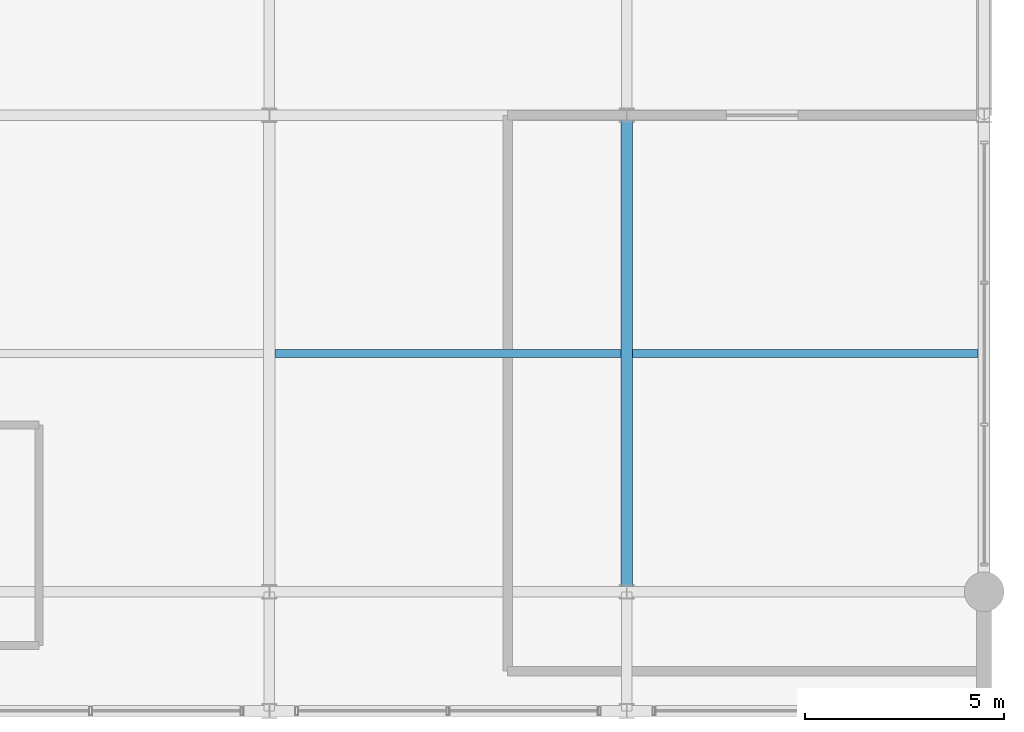
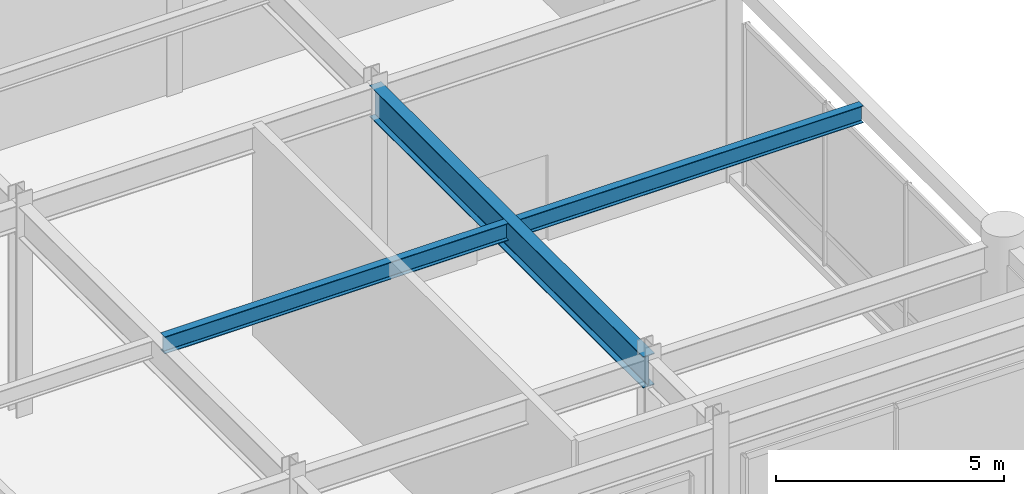
# One storey, part 74 of 108: 3 beams.
"""IFC4 building model written with IfcOpenShell, lengths in metres."""

from ifc_helpers import new_model, si_unit, direction, frame, origin, origin_2d, place, context, subcontext, project, spatial, i_section, extrude, material, material_profile, profile_set, type_object, element, save


model = new_model("IFC4")

# Units and contexts
model_context = context("Model", 3, precision=1e-05, world=origin(), true_north=direction((0.0, 1.0)))
body_context = subcontext(model_context, "Body", "Model", "MODEL_VIEW")
ifc_project = project(units=[si_unit("LENGTHUNIT", "METRE"), si_unit("AREAUNIT", "SQUARE_METRE"), si_unit("VOLUMEUNIT", "CUBIC_METRE"), si_unit("PLANEANGLEUNIT", "RADIAN"), si_unit("MASSUNIT", "GRAM", prefix="KILO")], contexts=[model_context])

# Site, building, storey
site_placement = place(None, origin())
site = spatial("IfcSite", under=ifc_project, at=site_placement, CompositionType="ELEMENT")
building_placement = place(site_placement, origin())
building = spatial("IfcBuilding", under=site, at=building_placement, Name="Kaldorvane Square Convention Centre", CompositionType="ELEMENT")
storey_placement = place(building_placement, frame((0.0, 0.0, 12.0)))
storey = spatial("IfcBuildingStorey", under=building, at=storey_placement, Name="L02", CompositionType="ELEMENT", Elevation=12.0)

# Beams
ifc_material = material(Name="Steel ASTM A992 Gr. 50", Category="steel")
ifc_material_profile_1 = material_profile(ifc_material, i_section(OverallWidth=0.292999267578125, OverallDepth=0.845794677734375, WebThickness=0.0153961181640625, FlangeThickness=0.0243988037109375, FilletRadius=0.0178070068359375, at=origin_2d()), Name="W33X141")
ifc_profile_set_1 = profile_set([ifc_material_profile_1], Name="Steel ASTM A992 Gr. 50")
beam_type_1 = type_object("IfcBeamType", Name="BM-GR-W33X141", PredefinedType="BEAM", material=ifc_profile_set_1)
beam_1_placement = place(storey_placement, frame((165.0, 84.0, 5.2230987548828125), z_axis=(0.0, 1.0, 0.0), x_axis=(-1.0, 0.0, 0.0)))
element("IfcBeam", 1, at=beam_1_placement, inside=storey, type_object=beam_type_1, Name="Transverse Girder (L02)", PredefinedType="BEAM", context=body_context, shape_type="SweptSolid", body=[
    extrude(i_section(OverallWidth=0.292999267578125, OverallDepth=0.845794677734375, WebThickness=0.0153961181640625, FlangeThickness=0.0243988037109375, FilletRadius=0.0178070068359375, at=origin_2d()), origin(), (0.0, 0.0, 1.0), 12.0),
])
ifc_material_profile_2 = material_profile(ifc_material, i_section(OverallWidth=0.1912994384765625, OverallDepth=0.4600067138671875, WebThickness=0.0099029541015625, FlangeThickness=0.0160064697265625, FilletRadius=0.01019287109375, at=origin_2d()), Name="W18X55")
ifc_profile_set_2 = profile_set([ifc_material_profile_2], Name="Steel ASTM A992 Gr. 50")
beam_type_2 = type_object("IfcBeamType", Name="BM-JS-W18X55", PredefinedType="JOIST", material=ifc_profile_set_2)
beam_2_placement = place(storey_placement, frame((156.14649963378906, 90.0, 5.4160003662109375), z_axis=(1.0, 0.0, 0.0), x_axis=(0.0, 1.0, 0.0)))
element("IfcBeam", 2, at=beam_2_placement, inside=storey, type_object=beam_type_2, Name="Secondary Floor Joist (L02)", PredefinedType="JOIST", context=body_context, shape_type="SweptSolid", body=[
    extrude(i_section(OverallWidth=0.1912994384765625, OverallDepth=0.4600067138671875, WebThickness=0.0099029541015625, FlangeThickness=0.0160064697265625, FilletRadius=0.01019287109375, at=origin_2d()), origin(), (0.0, 0.0, 1.0), 8.707000732421875),
])
beam_3_placement = place(storey_placement, frame((165.14649963378906, 90.0, 5.4160003662109375), z_axis=(1.0, 0.0, 0.0), x_axis=(0.0, 1.0, 0.0)))
element("IfcBeam", 3, at=beam_3_placement, inside=storey, type_object=beam_type_2, Name="Secondary Floor Joist (L02)", PredefinedType="JOIST", context=body_context, shape_type="SweptSolid", body=[
    extrude(i_section(OverallWidth=0.1912994384765625, OverallDepth=0.4600067138671875, WebThickness=0.0099029541015625, FlangeThickness=0.0160064697265625, FilletRadius=0.01019287109375, at=origin_2d()), origin(), (0.0, 0.0, 1.0), 8.701095581054688),
])

save(model, "model.ifc")
